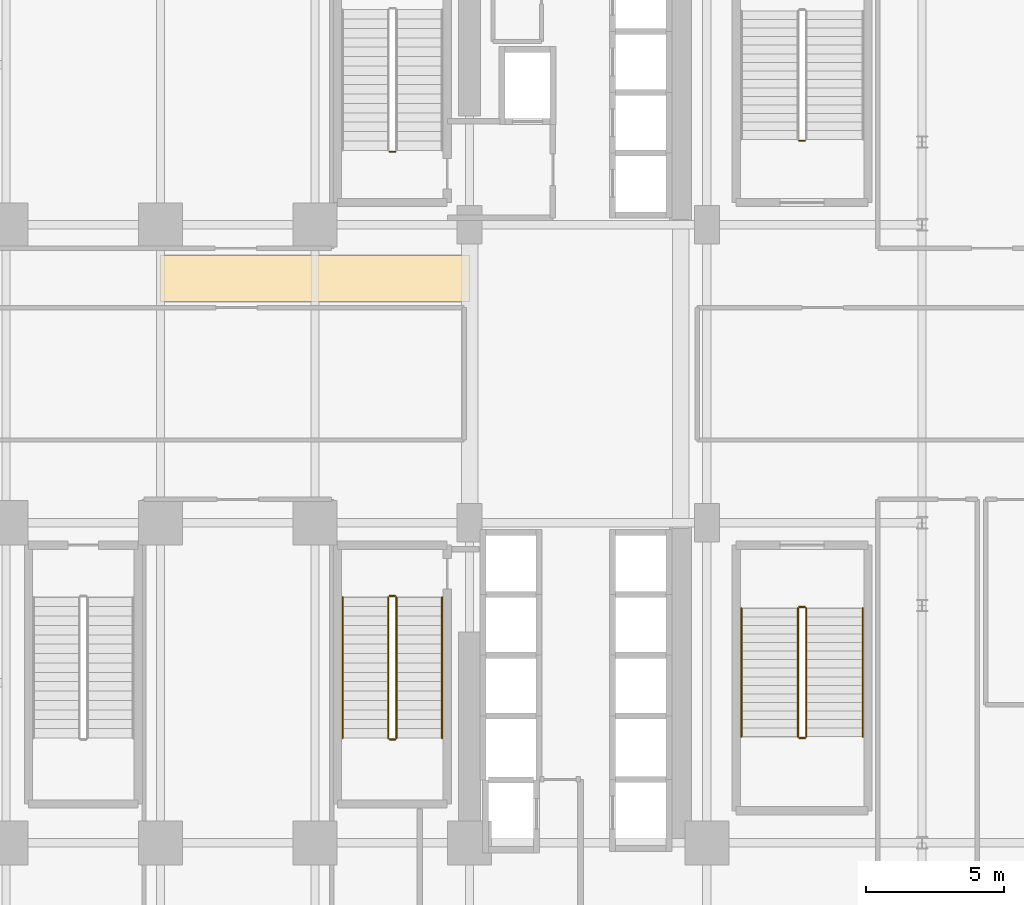
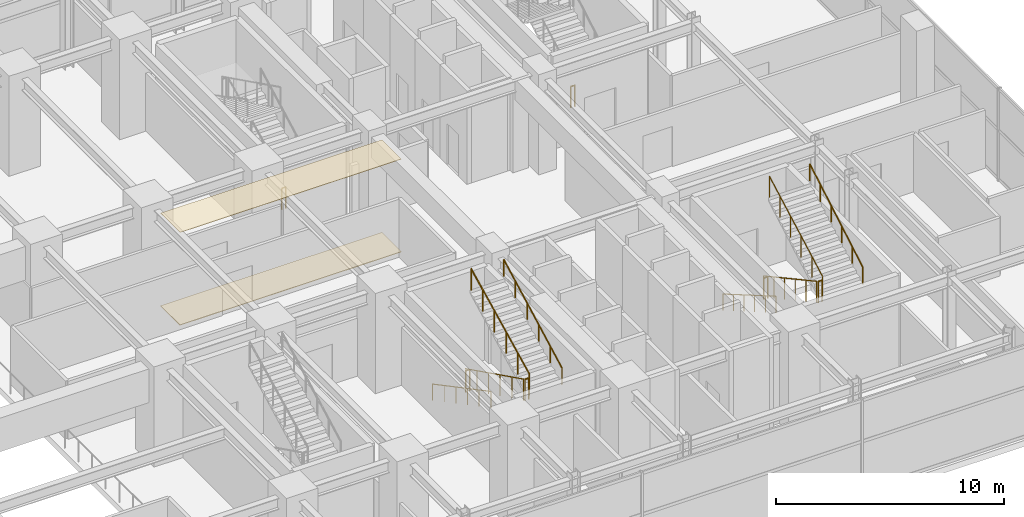
# One storey, part 33 of 35: 14 railings, 2 coverings.
"""IFC4 building model written with IfcOpenShell, lengths in metres."""

from ifc_helpers import new_model, si_unit, direction, frame, origin, origin_2d, place, context, subcontext, project, spatial, polyline, circle, outline, extrude, material, layer, layer_set, type_object, element, save


model = new_model("IFC4")

# Units and contexts
model_context = context("Model", 3, precision=1e-05, world=origin(), true_north=direction((0.0, 1.0)))
body_context = subcontext(model_context, "Body", "Model", "MODEL_VIEW")
ifc_project = project(units=[si_unit("LENGTHUNIT", "METRE"), si_unit("AREAUNIT", "SQUARE_METRE"), si_unit("VOLUMEUNIT", "CUBIC_METRE"), si_unit("PLANEANGLEUNIT", "RADIAN"), si_unit("MASSUNIT", "GRAM", prefix="KILO")], contexts=[model_context])

# Site, building, storey
site_placement = place(None, origin())
site = spatial("IfcSite", under=ifc_project, at=site_placement, CompositionType="ELEMENT")
building_placement = place(site_placement, origin())
building = spatial("IfcBuilding", under=site, at=building_placement, Name="Nahalor Promenade Grand Hotel", CompositionType="ELEMENT")
storey_placement = place(building_placement, frame((0.0, 0.0, 21.60009765625)))
storey = spatial("IfcBuildingStorey", under=building, at=storey_placement, Name="L04", CompositionType="ELEMENT", Elevation=21.60009765625)

# Coverings
ifc_material_1 = material(Name="Acoustic Mineral Gypsum", Category="gypsum")
ifc_layer_1 = layer(ifc_material_1, 0.02490234375)
ifc_layer_set_1 = layer_set([ifc_layer_1], Name="Acoustic Mineral Gypsum")
covering_type_1 = type_object("IfcCoveringType", Name="Acoustic Suspended Ceiling Tile", PredefinedType="CEILING", material=ifc_layer_set_1)
covering_1_placement = place(storey_placement, frame((0.0, 0.0, 4.954833984375)))
element("IfcCovering", 1, at=covering_1_placement, inside=storey, type_object=covering_type_1, Name="CV-CEIL-L04", PredefinedType="CEILING", context=body_context, shape_type="SweptSolid", body=[
    extrude(outline(polyline([(-2.800048828125, 2.60009765625), (8.39990234375, 2.60009765625), (8.39990234375, 4.300048828125), (-2.800048828125, 4.300048828125), (-2.800048828125, 2.60009765625)])), origin(), (0.0, 0.0, 1.0), 0.025146484375),
])
ifc_material_2 = material(Name="Jerusalem Limestone Flooring", Category="masonry")
ifc_layer_2 = layer(ifc_material_2, 0.030029296875)
ifc_layer_set_2 = layer_set([ifc_layer_2], Name="Jerusalem Limestone Flooring")
covering_type_2 = type_object("IfcCoveringType", Name="Honed Limestone Floor Finish", PredefinedType="FLOORING", material=ifc_layer_set_2)
covering_2_placement = place(storey_placement, origin())
element("IfcCovering", 2, at=covering_2_placement, inside=storey, type_object=covering_type_2, Name="CV-FLOR-L04", PredefinedType="FLOORING", context=body_context, shape_type="SweptSolid", body=[
    extrude(outline(polyline([(-2.800048828125, 2.60009765625), (8.39990234375, 2.60009765625), (8.39990234375, 4.300048828125), (-2.800048828125, 4.300048828125), (-2.800048828125, 2.60009765625)])), origin(), (0.0, 0.0, 1.0), 0.02978515625),
])

# Railings
ifc_material_3 = material(Name="Steel S355JR", Category="steel")
railing_type_1 = type_object("IfcRailingType", Name="Steel Stair Guardrail 1150 mm", PredefinedType="GUARDRAIL", material=ifc_material_3)
railing_1_placement = place(storey_placement, frame((5.699951171875, 8.050048828125, 0.0)))
element("IfcRailing", 3, at=railing_1_placement, inside=storey, type_object=railing_type_1, Name="L04 ST1 stair guard 4", PredefinedType="GUARDRAIL", context=body_context, shape_type="SweptSolid", body=[
    extrude(circle(Radius=0.024048, at=origin_2d()), frame((0.0, 0.0, 1.1259765625), z_axis=(-1.0, 0.0, 0.0), x_axis=(0.0, -1.0, 0.0)), (0.0, 0.0, 1.0), 0.199951171875),
    extrude(circle(Radius=0.020996, at=origin_2d()), origin(), (0.0, 0.0, 1.0), 1.099853515625),
    extrude(circle(Radius=0.020996, at=origin_2d()), frame((-0.199951171875, 0.0, 0.0)), (0.0, 0.0, 1.0), 1.099853515625),
])
railing_2_placement = place(storey_placement, frame((5.449951171875, -8.10009765625, 0.168701171875)))
element("IfcRailing", 4, at=railing_2_placement, inside=storey, type_object=railing_type_1, Name="L04 ST2 stair guard 1", PredefinedType="GUARDRAIL", context=body_context, shape_type="SweptSolid", body=[
    extrude(circle(Radius=0.024048, at=origin_2d()), frame((0.0, 0.0, 1.1259765625), z_axis=(0.0, -0.895735491292, 0.444587370086), x_axis=(1.0, 0.0, 0.0)), (0.0, 0.0, 1.0), 5.693603515625),
    extrude(circle(Radius=0.020996, at=origin_2d()), origin(), (0.0, 0.0, 1.0), 1.099853515625),
    extrude(circle(Radius=0.020996, at=origin_2d()), frame((0.0, -1.02001953125, 0.50634765625)), (0.0, 0.0, 1.0), 1.099853515625),
    extrude(circle(Radius=0.020996, at=origin_2d()), frame((0.0, -2.0400390625, 1.012451171875)), (0.0, 0.0, 1.0), 1.099853515625),
    extrude(circle(Radius=0.020996, at=origin_2d()), frame((0.0, -3.059814453125, 1.518798828125)), (0.0, 0.0, 1.0), 1.099853515625),
    extrude(circle(Radius=0.020996, at=origin_2d()), frame((0.0, -4.079833984375, 2.02490234375)), (0.0, 0.0, 1.0), 1.099853515625),
    extrude(circle(Radius=0.020996, at=origin_2d()), frame((0.0, -5.099853515625, 2.53125)), (0.0, 0.0, 1.0), 1.099853515625),
])
railing_3_placement = place(storey_placement, frame((5.5, -13.25, 2.699951171875)))
element("IfcRailing", 5, at=railing_3_placement, inside=storey, type_object=railing_type_1, Name="L04 ST2 stair guard 2", PredefinedType="GUARDRAIL", context=body_context, shape_type="SweptSolid", body=[
    extrude(circle(Radius=0.024048, at=origin_2d()), frame((0.0, 0.0, 1.1259765625), z_axis=(1.0, 0.0, 0.0), x_axis=(0.0, 1.0, 0.0)), (0.0, 0.0, 1.0), 0.199951171875),
    extrude(circle(Radius=0.020996, at=origin_2d()), origin(), (0.0, 0.0, 1.0), 1.099853515625),
    extrude(circle(Radius=0.020996, at=origin_2d()), frame((0.199951171875, 0.0, 0.0)), (0.0, 0.0, 1.0), 1.099853515625),
])
railing_4_placement = place(storey_placement, frame((5.75, -13.199951171875, 2.86865234375)))
element("IfcRailing", 6, at=railing_4_placement, inside=storey, type_object=railing_type_1, Name="L04 ST2 stair guard 3", PredefinedType="GUARDRAIL", context=body_context, shape_type="SweptSolid", body=[
    extrude(circle(Radius=0.024048, at=origin_2d()), frame((0.0, 0.0, 1.1259765625), z_axis=(0.0, 0.895735491292, 0.444587370086), x_axis=(-1.0, 0.0, 0.0)), (0.0, 0.0, 1.0), 5.693603515625),
    extrude(circle(Radius=0.020996, at=origin_2d()), origin(), (0.0, 0.0, 1.0), 1.099853515625),
    extrude(circle(Radius=0.020996, at=origin_2d()), frame((0.0, 1.02001953125, 0.50634765625)), (0.0, 0.0, 1.0), 1.099853515625),
    extrude(circle(Radius=0.020996, at=origin_2d()), frame((0.0, 2.0400390625, 1.012451171875)), (0.0, 0.0, 1.0), 1.099853515625),
    extrude(circle(Radius=0.020996, at=origin_2d()), frame((0.0, 3.059814453125, 1.518798828125)), (0.0, 0.0, 1.0), 1.099853515625),
    extrude(circle(Radius=0.020996, at=origin_2d()), frame((0.0, 4.079833984375, 2.02490234375)), (0.0, 0.0, 1.0), 1.099853515625),
    extrude(circle(Radius=0.020996, at=origin_2d()), frame((0.0, 5.099853515625, 2.53125)), (0.0, 0.0, 1.0), 1.099853515625),
])
railing_5_placement = place(storey_placement, frame((5.5, -8.050048828125, 0.0)))
element("IfcRailing", 7, at=railing_5_placement, inside=storey, type_object=railing_type_1, Name="L04 ST2 stair guard 4", PredefinedType="GUARDRAIL", context=body_context, shape_type="SweptSolid", body=[
    extrude(circle(Radius=0.024048, at=origin_2d()), frame((0.0, 0.0, 1.1259765625), z_axis=(1.0, 0.0, 0.0), x_axis=(0.0, 1.0, 0.0)), (0.0, 0.0, 1.0), 0.199951171875),
    extrude(circle(Radius=0.020996, at=origin_2d()), origin(), (0.0, 0.0, 1.0), 1.099853515625),
    extrude(circle(Radius=0.020996, at=origin_2d()), frame((0.199951171875, 0.0, 0.0)), (0.0, 0.0, 1.0), 1.099853515625),
])
railing_6_placement = place(storey_placement, frame((20.550048828125, 8.449951171875, 0.0)))
element("IfcRailing", 8, at=railing_6_placement, inside=storey, type_object=railing_type_1, Name="L04 ST4 stair guard 4", PredefinedType="GUARDRAIL", context=body_context, shape_type="SweptSolid", body=[
    extrude(circle(Radius=0.024048, at=origin_2d()), frame((0.0, 0.0, 1.1259765625), z_axis=(-1.0, 0.0, 0.0), x_axis=(0.0, -1.0, 0.0)), (0.0, 0.0, 1.0), 0.199951171875),
    extrude(circle(Radius=0.020996, at=origin_2d()), origin(), (0.0, 0.0, 1.0), 1.099853515625),
    extrude(circle(Radius=0.020996, at=origin_2d()), frame((-0.199951171875, 0.0, 0.0)), (0.0, 0.0, 1.0), 1.099853515625),
])
railing_7_placement = place(storey_placement, frame((20.300048828125, -8.5, 0.168701171875)))
element("IfcRailing", 9, at=railing_7_placement, inside=storey, type_object=railing_type_1, Name="L04 ST5 stair guard 1", PredefinedType="GUARDRAIL", context=body_context, shape_type="SweptSolid", body=[
    extrude(circle(Radius=0.024048, at=origin_2d()), frame((0.0, 0.0, 1.1259765625), z_axis=(0.0, -0.878297076953, 0.478115304728), x_axis=(1.0, 0.0, 0.0)), (0.0, 0.0, 1.0), 5.294189453125),
    extrude(circle(Radius=0.020996, at=origin_2d()), origin(), (0.0, 0.0, 1.0), 1.099853515625),
    extrude(circle(Radius=0.020996, at=origin_2d()), frame((0.0, -0.929931640625, 0.50634765625)), (0.0, 0.0, 1.0), 1.099853515625),
    extrude(circle(Radius=0.020996, at=origin_2d()), frame((0.0, -1.85986328125, 1.012451171875)), (0.0, 0.0, 1.0), 1.099853515625),
    extrude(circle(Radius=0.020996, at=origin_2d()), frame((0.0, -2.7900390625, 1.518798828125)), (0.0, 0.0, 1.0), 1.099853515625),
    extrude(circle(Radius=0.020996, at=origin_2d()), frame((0.0, -3.719970703125, 2.02490234375)), (0.0, 0.0, 1.0), 1.099853515625),
    extrude(circle(Radius=0.020996, at=origin_2d()), frame((0.0, -4.64990234375, 2.53125)), (0.0, 0.0, 1.0), 1.099853515625),
])
railing_8_placement = place(storey_placement, frame((20.35009765625, -13.199951171875, 2.699951171875)))
element("IfcRailing", 10, at=railing_8_placement, inside=storey, type_object=railing_type_1, Name="L04 ST5 stair guard 2", PredefinedType="GUARDRAIL", context=body_context, shape_type="SweptSolid", body=[
    extrude(circle(Radius=0.024048, at=origin_2d()), frame((0.0, 0.0, 1.1259765625), z_axis=(1.0, 0.0, 0.0), x_axis=(0.0, 1.0, 0.0)), (0.0, 0.0, 1.0), 0.199951171875),
    extrude(circle(Radius=0.020996, at=origin_2d()), origin(), (0.0, 0.0, 1.0), 1.099853515625),
    extrude(circle(Radius=0.020996, at=origin_2d()), frame((0.199951171875, 0.0, 0.0)), (0.0, 0.0, 1.0), 1.099853515625),
])
railing_9_placement = place(storey_placement, frame((20.60009765625, -13.14990234375, 2.86865234375)))
element("IfcRailing", 11, at=railing_9_placement, inside=storey, type_object=railing_type_1, Name="L04 ST5 stair guard 3", PredefinedType="GUARDRAIL", context=body_context, shape_type="SweptSolid", body=[
    extrude(circle(Radius=0.024048, at=origin_2d()), frame((0.0, 0.0, 1.1259765625), z_axis=(0.0, 0.878297076953, 0.478115304728), x_axis=(-1.0, 0.0, 0.0)), (0.0, 0.0, 1.0), 5.294189453125),
    extrude(circle(Radius=0.020996, at=origin_2d()), origin(), (0.0, 0.0, 1.0), 1.099853515625),
    extrude(circle(Radius=0.020996, at=origin_2d()), frame((0.0, 0.929931640625, 0.50634765625)), (0.0, 0.0, 1.0), 1.099853515625),
    extrude(circle(Radius=0.020996, at=origin_2d()), frame((0.0, 1.85986328125, 1.012451171875)), (0.0, 0.0, 1.0), 1.099853515625),
    extrude(circle(Radius=0.020996, at=origin_2d()), frame((0.0, 2.7900390625, 1.518798828125)), (0.0, 0.0, 1.0), 1.099853515625),
    extrude(circle(Radius=0.020996, at=origin_2d()), frame((0.0, 3.719970703125, 2.02490234375)), (0.0, 0.0, 1.0), 1.099853515625),
    extrude(circle(Radius=0.020996, at=origin_2d()), frame((0.0, 4.64990234375, 2.53125)), (0.0, 0.0, 1.0), 1.099853515625),
])
railing_10_placement = place(storey_placement, frame((20.35009765625, -8.449951171875, 0.0)))
element("IfcRailing", 12, at=railing_10_placement, inside=storey, type_object=railing_type_1, Name="L04 ST5 stair guard 4", PredefinedType="GUARDRAIL", context=body_context, shape_type="SweptSolid", body=[
    extrude(circle(Radius=0.024048, at=origin_2d()), frame((0.0, 0.0, 1.1259765625), z_axis=(1.0, 0.0, 0.0), x_axis=(0.0, 1.0, 0.0)), (0.0, 0.0, 1.0), 0.199951171875),
    extrude(circle(Radius=0.020996, at=origin_2d()), origin(), (0.0, 0.0, 1.0), 1.099853515625),
    extrude(circle(Radius=0.020996, at=origin_2d()), frame((0.199951171875, 0.0, 0.0)), (0.0, 0.0, 1.0), 1.099853515625),
])
railing_type_2 = type_object("IfcRailingType", Name="Steel Stair Handrail 900 mm", PredefinedType="HANDRAIL", material=ifc_material_3)
railing_11_placement = place(storey_placement, frame((3.800048828125, -8.10009765625, 0.168701171875)))
element("IfcRailing", 13, at=railing_11_placement, inside=storey, type_object=railing_type_2, Name="L04 ST2 stair handrail 1", PredefinedType="HANDRAIL", context=body_context, shape_type="SweptSolid", body=[
    extrude(circle(Radius=0.024048, at=origin_2d()), frame((0.0, 0.0, 0.8759765625), z_axis=(0.0, -0.883785858079, 0.467891608238), x_axis=(1.0, 0.0, 0.0)), (0.0, 0.0, 1.0), 5.7705078125),
    extrude(circle(Radius=0.020996, at=origin_2d()), origin(), (0.0, 0.0, 1.0), 0.849853515625),
    extrude(circle(Radius=0.020996, at=origin_2d()), frame((0.0, -1.02001953125, 0.5400390625)), (0.0, 0.0, 1.0), 0.849853515625),
    extrude(circle(Radius=0.020996, at=origin_2d()), frame((0.0, -2.0400390625, 1.080078125)), (0.0, 0.0, 1.0), 0.849853515625),
    extrude(circle(Radius=0.020996, at=origin_2d()), frame((0.0, -3.059814453125, 1.619873046875)), (0.0, 0.0, 1.0), 0.849853515625),
    extrude(circle(Radius=0.020996, at=origin_2d()), frame((0.0, -4.079833984375, 2.159912109375)), (0.0, 0.0, 1.0), 0.849853515625),
    extrude(circle(Radius=0.020996, at=origin_2d()), frame((0.0, -5.099853515625, 2.699951171875)), (0.0, 0.0, 1.0), 0.849853515625),
])
railing_12_placement = place(storey_placement, frame((7.39990234375, -13.199951171875, 2.86865234375)))
element("IfcRailing", 14, at=railing_12_placement, inside=storey, type_object=railing_type_2, Name="L04 ST2 stair handrail 2", PredefinedType="HANDRAIL", context=body_context, shape_type="SweptSolid", body=[
    extrude(circle(Radius=0.024048, at=origin_2d()), frame((0.0, 0.0, 0.8759765625), z_axis=(0.0, 0.883785858079, 0.467891608238), x_axis=(-1.0, 0.0, 0.0)), (0.0, 0.0, 1.0), 5.7705078125),
    extrude(circle(Radius=0.020996, at=origin_2d()), origin(), (0.0, 0.0, 1.0), 0.849853515625),
    extrude(circle(Radius=0.020996, at=origin_2d()), frame((0.0, 1.02001953125, 0.5400390625)), (0.0, 0.0, 1.0), 0.849853515625),
    extrude(circle(Radius=0.020996, at=origin_2d()), frame((0.0, 2.0400390625, 1.080078125)), (0.0, 0.0, 1.0), 0.849853515625),
    extrude(circle(Radius=0.020996, at=origin_2d()), frame((0.0, 3.059814453125, 1.619873046875)), (0.0, 0.0, 1.0), 0.849853515625),
    extrude(circle(Radius=0.020996, at=origin_2d()), frame((0.0, 4.079833984375, 2.159912109375)), (0.0, 0.0, 1.0), 0.849853515625),
    extrude(circle(Radius=0.020996, at=origin_2d()), frame((0.0, 5.099853515625, 2.699951171875)), (0.0, 0.0, 1.0), 0.849853515625),
])
railing_13_placement = place(storey_placement, frame((18.25, -8.5, 0.168701171875)))
element("IfcRailing", 15, at=railing_13_placement, inside=storey, type_object=railing_type_2, Name="L04 ST5 stair handrail 1", PredefinedType="HANDRAIL", context=body_context, shape_type="SweptSolid", body=[
    extrude(circle(Radius=0.024048, at=origin_2d()), frame((0.0, 0.0, 0.8759765625), z_axis=(0.0, -0.864788310583, 0.502136612766), x_axis=(1.0, 0.0, 0.0)), (0.0, 0.0, 1.0), 5.376953125),
    extrude(circle(Radius=0.020996, at=origin_2d()), origin(), (0.0, 0.0, 1.0), 0.849853515625),
    extrude(circle(Radius=0.020996, at=origin_2d()), frame((0.0, -0.929931640625, 0.5400390625)), (0.0, 0.0, 1.0), 0.849853515625),
    extrude(circle(Radius=0.020996, at=origin_2d()), frame((0.0, -1.85986328125, 1.080078125)), (0.0, 0.0, 1.0), 0.849853515625),
    extrude(circle(Radius=0.020996, at=origin_2d()), frame((0.0, -2.7900390625, 1.619873046875)), (0.0, 0.0, 1.0), 0.849853515625),
    extrude(circle(Radius=0.020996, at=origin_2d()), frame((0.0, -3.719970703125, 2.159912109375)), (0.0, 0.0, 1.0), 0.849853515625),
    extrude(circle(Radius=0.020996, at=origin_2d()), frame((0.0, -4.64990234375, 2.699951171875)), (0.0, 0.0, 1.0), 0.849853515625),
])
railing_14_placement = place(storey_placement, frame((22.64990234375, -13.14990234375, 2.86865234375)))
element("IfcRailing", 16, at=railing_14_placement, inside=storey, type_object=railing_type_2, Name="L04 ST5 stair handrail 2", PredefinedType="HANDRAIL", context=body_context, shape_type="SweptSolid", body=[
    extrude(circle(Radius=0.024048, at=origin_2d()), frame((0.0, 0.0, 0.8759765625), z_axis=(0.0, 0.864788310583, 0.502136612766), x_axis=(-1.0, 0.0, 0.0)), (0.0, 0.0, 1.0), 5.376953125),
    extrude(circle(Radius=0.020996, at=origin_2d()), origin(), (0.0, 0.0, 1.0), 0.849853515625),
    extrude(circle(Radius=0.020996, at=origin_2d()), frame((0.0, 0.929931640625, 0.5400390625)), (0.0, 0.0, 1.0), 0.849853515625),
    extrude(circle(Radius=0.020996, at=origin_2d()), frame((0.0, 1.85986328125, 1.080078125)), (0.0, 0.0, 1.0), 0.849853515625),
    extrude(circle(Radius=0.020996, at=origin_2d()), frame((0.0, 2.7900390625, 1.619873046875)), (0.0, 0.0, 1.0), 0.849853515625),
    extrude(circle(Radius=0.020996, at=origin_2d()), frame((0.0, 3.719970703125, 2.159912109375)), (0.0, 0.0, 1.0), 0.849853515625),
    extrude(circle(Radius=0.020996, at=origin_2d()), frame((0.0, 4.64990234375, 2.699951171875)), (0.0, 0.0, 1.0), 0.849853515625),
])

save(model, "model.ifc")
